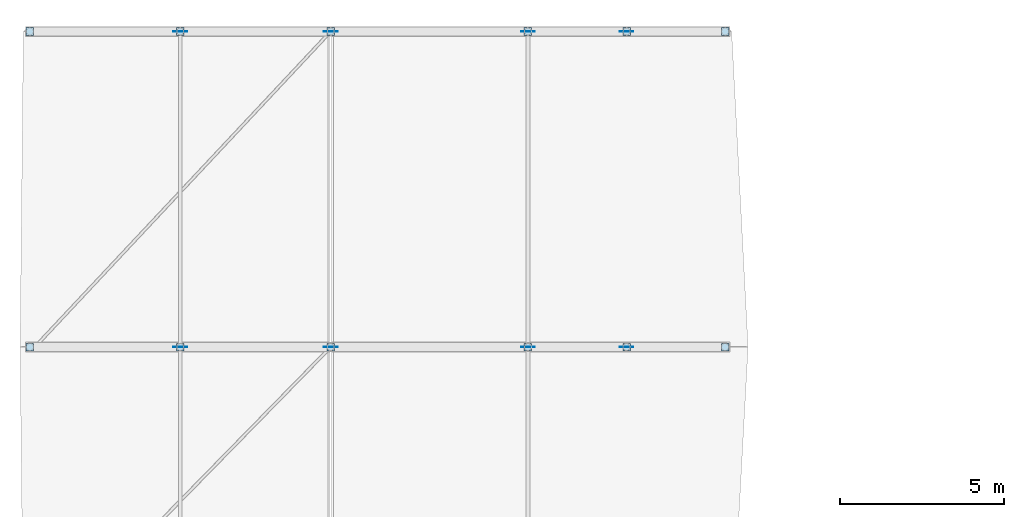
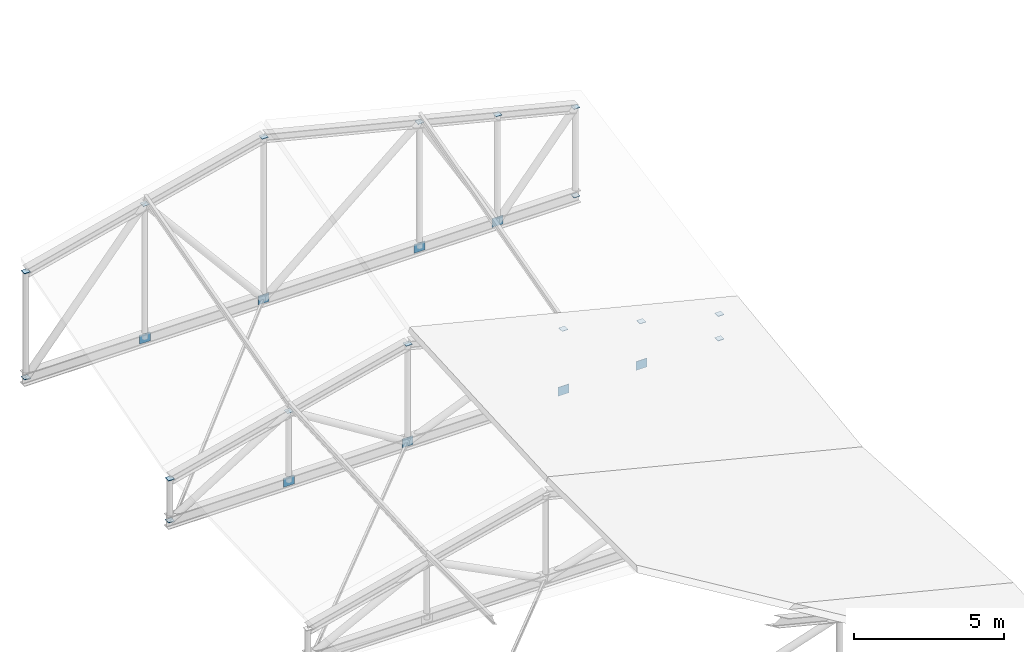
# One storey, part 42 of 61: 24 plates.
"""IFC4 building model written with IfcOpenShell, lengths in metres."""

from ifc_helpers import new_model, si_unit, direction, frame, origin, origin_2d, place, context, subcontext, project, spatial, rectangle, extrude, material, layer, layer_set, type_object, element, save


model = new_model("IFC4")

# Units and contexts
model_context = context("Model", 3, precision=1e-05, world=origin(), true_north=direction((0.0, 1.0)))
body_context = subcontext(model_context, "Body", "Model", "MODEL_VIEW")
ifc_project = project(units=[si_unit("LENGTHUNIT", "METRE"), si_unit("AREAUNIT", "SQUARE_METRE"), si_unit("VOLUMEUNIT", "CUBIC_METRE"), si_unit("PLANEANGLEUNIT", "RADIAN"), si_unit("MASSUNIT", "GRAM", prefix="KILO")], contexts=[model_context])

# Site, building, storey
site_placement = place(None, origin())
site = spatial("IfcSite", under=ifc_project, at=site_placement, CompositionType="ELEMENT")
building_placement = place(site_placement, origin())
building = spatial("IfcBuilding", under=site, at=building_placement, Name="Bozkorgan Art Gallery", CompositionType="ELEMENT")
storey_placement = place(building_placement, frame((0.0, 0.0, 10.199951171875)))
storey = spatial("IfcBuildingStorey", under=building, at=storey_placement, Name="L02", CompositionType="ELEMENT", Elevation=10.199951171875)

# Plates
ifc_material = material(Name="Steel S355J2", Category="steel")
ifc_layer_1 = layer(ifc_material, 0.01611328125, Name="Steel S355J2")
ifc_layer_set_1 = layer_set([ifc_layer_1], Name="Steel S355J2")
plate_type_1 = type_object("IfcPlateType", Name="PLATE-EC-05", PredefinedType="USERDEFINED", material=ifc_layer_set_1)
for number, where, z_axis, x_axis, name in (
    (1, (1.85009765625, 102.800048828125, 1.94921875), (0.0, 0.0, 1.0), (1.0, 0.0, 0.0), "Truss V2 post cap 7.0"),
    (2, (1.85009765625, 102.800048828125, 0.241943359375), (0.0, 0.0, 1.0), (1.0, 0.0, 0.0), "Truss V2 post base cap 7.0"),
    (3, (6.425048828125, 102.800048828125, 3.08984375), (0.0, 0.0, 1.0), (1.0, 0.0, 0.0), "Truss V2 post cap 7.1"),
    (4, (11.0, 102.800048828125, 4.230712890625), (0.0, 0.0, 1.0), (1.0, 0.0, 0.0), "Truss V2 post cap 7.2"),
    (5, (17.0, 102.800048828125, 2.734619140625), (0.0, 0.0, 1.0), (1.0, 0.0, 0.0), "Truss V2 post cap 7.3"),
    (6, (20.0, 102.800048828125, 1.986572265625), (0.0, 0.0, 1.0), (1.0, 0.0, 0.0), "Truss V2 post cap 7.4"),
    (7, (23.0, 102.800048828125, 1.23876953125), (0.0, 0.0, 1.0), (1.0, 0.0, 0.0), "Truss V2 post cap 7.5"),
    (8, (23.0, 102.800048828125, 0.241943359375), (0.0, 0.0, 1.0), (1.0, 0.0, 0.0), "Truss V2 post base cap 7.5"),
    (9, (1.85009765625, 112.39990234375, 4.5576171875), (0.0, 0.0, 1.0), (1.0, 0.0, 0.0), "Truss V2 post cap 8.0"),
    (10, (1.85009765625, 112.39990234375, 0.241943359375), (0.0, 0.0, 1.0), (1.0, 0.0, 0.0), "Truss V2 post base cap 8.0"),
    (11, (6.425048828125, 112.39990234375, 5.6982421875), (0.0, 0.0, 1.0), (1.0, 0.0, 0.0), "Truss V2 post cap 8.1"),
    (12, (11.0, 112.39990234375, 6.839111328125), (0.0, 0.0, 1.0), (1.0, 0.0, 0.0), "Truss V2 post cap 8.2"),
    (13, (17.0, 112.39990234375, 5.343017578125), (0.0, 0.0, 1.0), (1.0, 0.0, 0.0), "Truss V2 post cap 8.3"),
    (14, (20.0, 112.39990234375, 4.594970703125), (0.0, 0.0, 1.0), (1.0, 0.0, 0.0), "Truss V2 post cap 8.4"),
    (15, (23.0, 112.39990234375, 3.84716796875), (0.0, 0.0, 1.0), (1.0, 0.0, 0.0), "Truss V2 post cap 8.5"),
    (16, (23.0, 112.39990234375, 0.241943359375), (0.0, 0.0, 1.0), (1.0, 0.0, 0.0), "Truss V2 post base cap 8.5"),
):
    element("IfcPlate", number, at=place(storey_placement, frame(where, z_axis=z_axis, x_axis=x_axis)), inside=storey, type_object=plate_type_1, Name=name, ObjectType="END CAP PLATE", PredefinedType="USERDEFINED", context=body_context, shape_type="SweptSolid", body=[
        extrude(rectangle(XDim=0.22998046875, YDim=0.22998046875, at=origin_2d()), origin(), (0.0, 0.0, 1.0), 0.01611328125),
    ])
ifc_layer_2 = layer(ifc_material, 0.02392578125, Name="Steel S355J2")
ifc_layer_set_2 = layer_set([ifc_layer_2], Name="Steel S355J2")
plate_type_2 = type_object("IfcPlateType", Name="PLATE-GP-38", PredefinedType="USERDEFINED", material=ifc_layer_set_2)
for number, where, z_axis, x_axis, name in (
    (17, (11.0, 102.800048828125, 0.06982421875), (0.0, 0.0, 1.0), (1.0, 0.0, 0.0), "Truss V2 span 7 node gusset TN-2"),
    (18, (11.0, 112.39990234375, 0.06982421875), (0.0, 0.0, 1.0), (1.0, 0.0, 0.0), "Truss V2 span 8 node gusset TN-2"),
):
    element("IfcPlate", number, at=place(storey_placement, frame(where, z_axis=z_axis, x_axis=x_axis)), inside=storey, type_object=plate_type_2, Name=name, ObjectType="GUSSET PLATE", PredefinedType="USERDEFINED", context=body_context, shape_type="SweptSolid", body=[
        extrude(rectangle(XDim=0.419921875, YDim=0.02001953125, at=origin_2d()), origin(), (0.0, 0.0, 1.0), 0.360107421875),
    ])
ifc_layer_3 = layer(ifc_material, 0.02001953125, Name="Steel S355J2")
ifc_layer_set_3 = layer_set([ifc_layer_3], Name="Steel S355J2")
plate_type_3 = type_object("IfcPlateType", Name="PLATE-GP-55", PredefinedType="USERDEFINED", material=ifc_layer_set_3)
for number, where, z_axis, x_axis, name in (
    (19, (6.425048828125, 102.800048828125, 0.06982421875), (0.0, 0.0, 1.0), (1.0, 0.0, 0.0), "Truss V2 span 7 node gusset TN-1"),
    (20, (17.0, 102.800048828125, 0.06982421875), (0.0, 0.0, 1.0), (1.0, 0.0, 0.0), "Truss V2 span 7 node gusset TN-3"),
    (21, (20.0, 102.800048828125, 0.06982421875), (0.0, 0.0, 1.0), (1.0, 0.0, 0.0), "Truss V2 span 7 node gusset TN-4"),
    (22, (6.425048828125, 112.39990234375, 0.06982421875), (0.0, 0.0, 1.0), (1.0, 0.0, 0.0), "Truss V2 span 8 node gusset TN-1"),
    (23, (17.0, 112.39990234375, 0.06982421875), (0.0, 0.0, 1.0), (1.0, 0.0, 0.0), "Truss V2 span 8 node gusset TN-3"),
    (24, (20.0, 112.39990234375, 0.06982421875), (0.0, 0.0, 1.0), (1.0, 0.0, 0.0), "Truss V2 span 8 node gusset TN-4"),
):
    element("IfcPlate", number, at=place(storey_placement, frame(where, z_axis=z_axis, x_axis=x_axis)), inside=storey, type_object=plate_type_3, Name=name, ObjectType="GUSSET PLATE", PredefinedType="USERDEFINED", context=body_context, shape_type="SweptSolid", body=[
        extrude(rectangle(XDim=0.419921875, YDim=0.02001953125, at=origin_2d()), origin(), (0.0, 0.0, 1.0), 0.360107421875),
    ])

save(model, "model.ifc")
